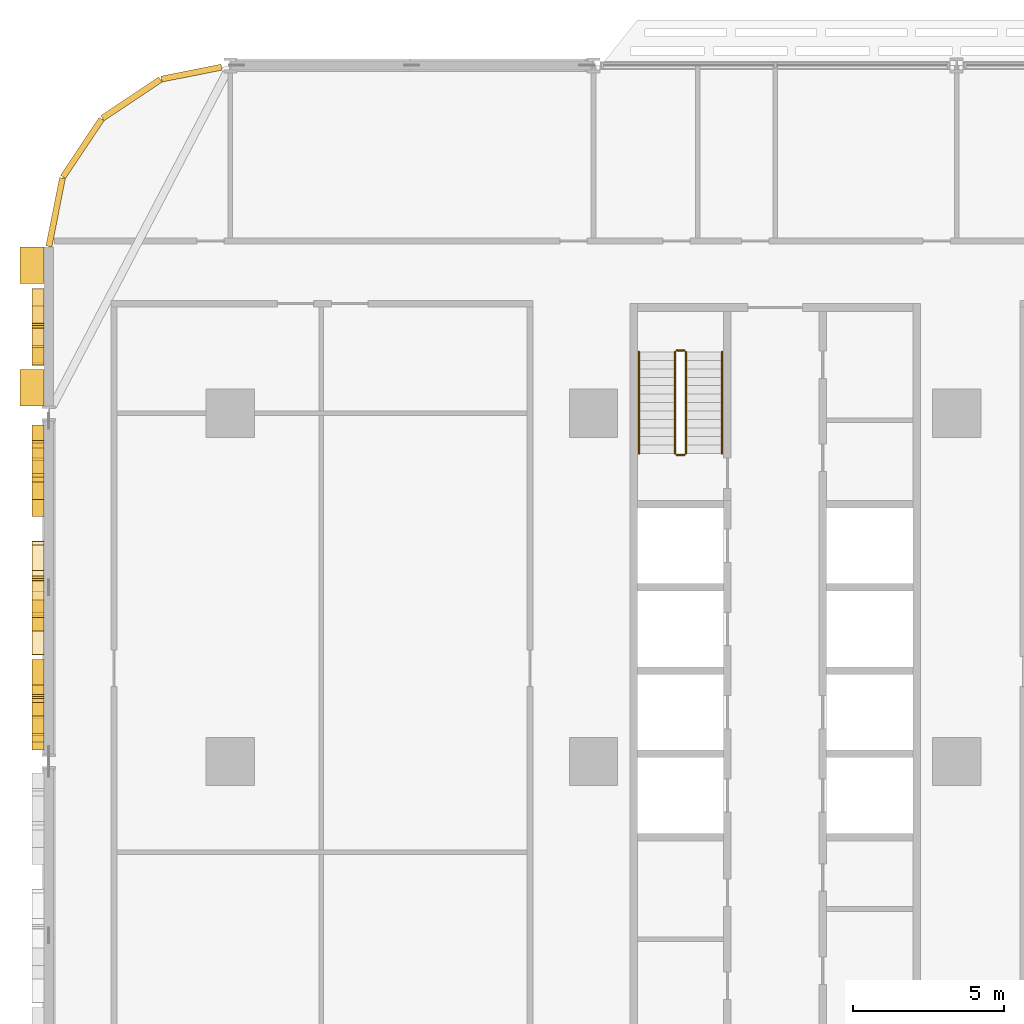
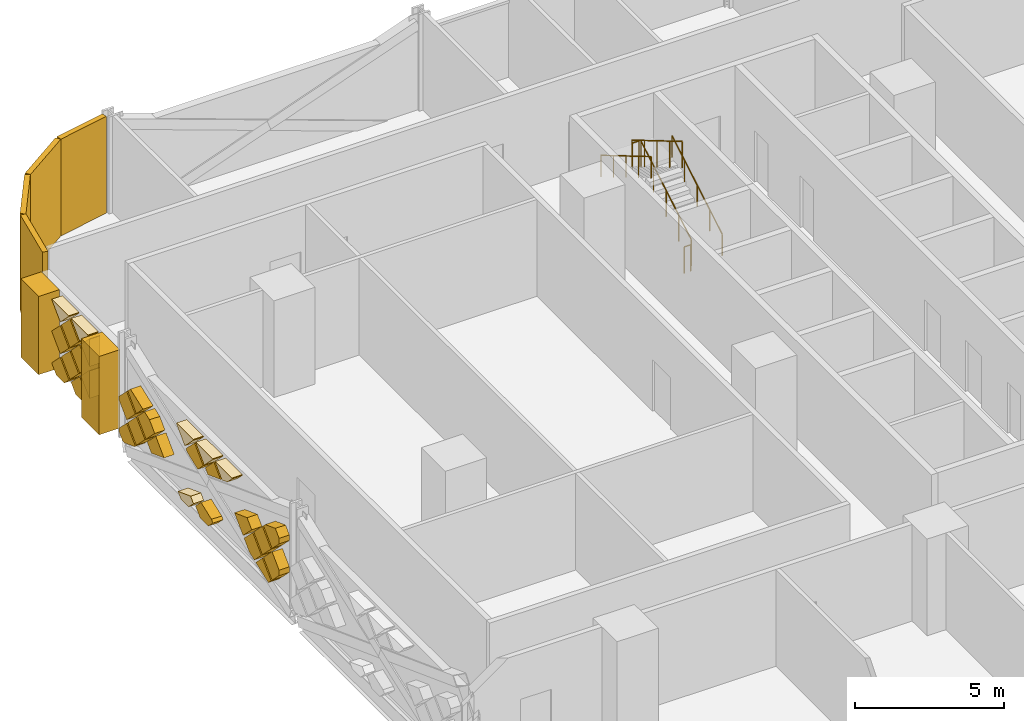
# One storey, part 23 of 26: 35 coverings, 6 railings.
"""IFC4 building model written with IfcOpenShell, lengths in metres."""

from ifc_helpers import new_model, si_unit, direction, frame, origin, origin_2d, place, context, subcontext, project, spatial, polyline, rectangle, circle, outline, extrude, material, layer, layer_set, type_object, element, save


model = new_model("IFC4")

# Units and contexts
model_context = context("Model", 3, precision=1e-05, world=origin(), true_north=direction((0.0, 1.0)))
body_context = subcontext(model_context, "Body", "Model", "MODEL_VIEW")
ifc_project = project(units=[si_unit("LENGTHUNIT", "METRE"), si_unit("AREAUNIT", "SQUARE_METRE"), si_unit("VOLUMEUNIT", "CUBIC_METRE"), si_unit("PLANEANGLEUNIT", "RADIAN"), si_unit("MASSUNIT", "GRAM", prefix="KILO")], contexts=[model_context])

# Site, building, storey
site_placement = place(None, origin())
site = spatial("IfcSite", under=ifc_project, at=site_placement, CompositionType="ELEMENT")
building_placement = place(site_placement, origin())
building = spatial("IfcBuilding", under=site, at=building_placement, Name="Mahtab Terrace Research Tower", CompositionType="ELEMENT")
storey_placement = place(building_placement, frame((0.0, 0.0, 15.800048828125)))
storey = spatial("IfcBuildingStorey", under=building, at=storey_placement, Name="L03", CompositionType="ELEMENT", Elevation=15.800048828125)

# Coverings
ifc_material_1 = material(Name="Black aluminium cladding panel", Category="aluminium")
ifc_layer_1 = layer(ifc_material_1, 0.199951171875)
ifc_layer_set_1 = layer_set([ifc_layer_1], Name="Black metal corner cladding 200")
covering_type_1 = type_object("IfcCoveringType", Name="Black metal corner cladding 200", PredefinedType="CLADDING", material=ifc_layer_set_1)
covering_1_placement = place(storey_placement, frame((-43.28173828125, 22.744873046875, 0.0), z_axis=(0.0, 0.0, 1.0), x_axis=(-0.980760981187, -0.195212442692, 0.0)))
element("IfcCovering", 1, at=covering_1_placement, inside=storey, type_object=covering_type_1, Name="Corner cladding L03 10", PredefinedType="CLADDING", context=body_context, shape_type="SweptSolid", body=[
    extrude(rectangle(XDim=2.0283203125, YDim=0.199951171875, at=origin_2d()), origin(), (0.0, 0.0, 1.0), 3.9599609375),
])
for number, where, z_axis, x_axis, name in (
    (2, (-45.26953125, 21.89306640625, 0.0), (0.0, 0.0, 1.0), (-0.831655794326, -0.555291490808, 0.0), "Corner cladding L03 11"),
    (3, (-46.89306640625, 20.26953125, 0.0), (0.0, 0.0, 1.0), (-0.555291490808, -0.831655794326, 0.0), "Corner cladding L03 12"),
    (4, (-47.771484375, 18.14794921875, 0.0), (0.0, 0.0, 1.0), (-0.195212442692, -0.980760981187, 0.0), "Corner cladding L03 13"),
):
    element("IfcCovering", number, at=place(storey_placement, frame(where, z_axis=z_axis, x_axis=x_axis)), inside=storey, type_object=covering_type_1, Name=name, PredefinedType="CLADDING", context=body_context, shape_type="SweptSolid", body=[
        extrude(rectangle(XDim=2.30126953125, YDim=0.199951171875, at=origin_2d()), origin(), (0.0, 0.0, 1.0), 3.9599609375),
    ])
ifc_material_2 = material(Name="Bronze anodised aluminium", Category="aluminium")
ifc_layer_2 = layer(ifc_material_2, 0.39990234375)
ifc_layer_set_2 = layer_set([ifc_layer_2], Name="Mashrabiya relief panel 400")
covering_type_2 = type_object("IfcCoveringType", Name="Mashrabiya relief panel 400", PredefinedType="CLADDING", material=ifc_layer_set_2)
covering_2_placement = place(storey_placement, frame((-48.14990234375, 15.6298828125, 0.449951171875), z_axis=(1.0, 0.0, 0.0), x_axis=(0.0, -0.706957932274, 0.707255598772)))
element("IfcCovering", 5, at=covering_2_placement, inside=storey, type_object=covering_type_2, Name="Mashrabiya lattice cell L03 W14.1", PredefinedType="CLADDING", context=body_context, shape_type="SweptSolid", body=[
    extrude(outline(polyline([(0.0, 0.0), (0.8201817362875763, 0.0), (0.8200090664636573, 0.8203543334390104), (0.37461466825813394, 0.8202605859335999), (-9.374750541055188e-05, 0.4453943982055234), (0.0, 0.0)])), origin(), (0.0, 0.0, -1.0), 0.39990234375),
])
covering_3_placement = place(storey_placement, frame((-48.14990234375, 15.050048828125, 2.329833984375), z_axis=(1.0, 0.0, 0.0), x_axis=(0.0, -0.707255598772, -0.706957932274)))
element("IfcCovering", 6, at=covering_3_placement, inside=storey, type_object=covering_type_2, Name="Mashrabiya lattice cell L03 W14.2", PredefinedType="CLADDING", context=body_context, shape_type="SweptSolid", body=[
    extrude(outline(polyline([(0.0, 0.0), (0.8201817362875763, 0.0), (0.8200090664636573, 0.8203543334390104), (-0.00017259715143413956, 0.8200090664636573), (0.0, 0.0)])), origin(), (0.0, 0.0, -1.0), 0.39990234375),
])
covering_4_placement = place(storey_placement, frame((-48.14990234375, 14.469970703125, 3.050048828125), z_axis=(1.0, 0.0, 0.0), x_axis=(0.0, 0.707106781187, -0.707106781187)))
element("IfcCovering", 7, at=covering_4_placement, inside=storey, type_object=covering_type_2, Name="Mashrabiya lattice cell L03 W14.3", PredefinedType="CLADDING", context=body_context, shape_type="SweptSolid", body=[
    extrude(outline(polyline([(0.0, 0.0), (0.8203543516109556, 0.0), (0.820181718119455, 0.820181718119455), (0.7949772283603641, 0.820181718119455), (0.00017263349150062161, 0.02537712325059143), (0.0, 0.0)])), origin(), (0.0, 0.0, -1.0), 0.39990234375),
])
for number, where, z_axis, x_axis, name in (
    (8, (-48.14990234375, 14.39990234375, 1.679931640625), (1.0, 0.0, 0.0), (0.0, -0.706957932274, -0.707255598772), "Mashrabiya lattice cell L03 W14.4"),
    (9, (-48.14990234375, 14.39990234375, 2.97998046875), (1.0, 0.0, 0.0), (0.0, -0.706957932274, -0.707255598772), "Mashrabiya lattice cell L03 W14.5"),
):
    element("IfcCovering", number, at=place(storey_placement, frame(where, z_axis=z_axis, x_axis=x_axis)), inside=storey, type_object=covering_type_2, Name=name, PredefinedType="CLADDING", context=body_context, shape_type="SweptSolid", body=[
        extrude(outline(polyline([(0.0, 0.0), (0.8201817362875763, 0.0), (0.8203543334390104, 0.8200090664636573), (0.00017266982391900276, 0.8203543334390104), (0.0, 0.0)])), origin(), (0.0, 0.0, -1.0), 0.39990234375),
    ])
covering_5_placement = place(storey_placement, frame((-48.14990234375, 14.330078125, 0.449951171875), z_axis=(1.0, 0.0, 0.0), x_axis=(0.0, -0.707106781187, 0.707106781187)))
element("IfcCovering", 10, at=covering_5_placement, inside=storey, type_object=covering_type_2, Name="Mashrabiya lattice cell L03 W14.6", PredefinedType="CLADDING", context=body_context, shape_type="SweptSolid", body=[
    extrude(outline(polyline([(0.0, 0.0), (0.8203543516109556, 0.0), (0.8203543516109556, 0.8203543516109556), (0.3747873100478503, 0.8201817181194551), (0.00017263349150062335, 0.44556704156310534), (0.0, 0.0)])), origin(), (0.0, 0.0, -1.0), 0.39990234375),
])
covering_6_placement = place(storey_placement, frame((-48.14990234375, 13.75, 2.329833984375), z_axis=(1.0, 0.0, 0.0), x_axis=(0.0, -0.707255598772, -0.706957932274)))
element("IfcCovering", 11, at=covering_6_placement, inside=storey, type_object=covering_type_2, Name="Mashrabiya lattice cell L03 W14.7", PredefinedType="CLADDING", context=body_context, shape_type="SweptSolid", body=[
    extrude(outline(polyline([(0.0, 0.0), (0.8201817362875763, 0.0), (0.8200090664636573, 0.8203543334390104), (-0.0003452669753531423, 0.8201816636150915), (0.0, 0.0)])), origin(), (0.0, 0.0, -1.0), 0.39990234375),
])
covering_7_placement = place(storey_placement, frame((-48.14990234375, 13.169921875, 3.050048828125), z_axis=(1.0, 0.0, 0.0), x_axis=(0.0, 0.707106781187, -0.707106781187)))
element("IfcCovering", 12, at=covering_7_placement, inside=storey, type_object=covering_type_2, Name="Mashrabiya lattice cell L03 W14.8", PredefinedType="CLADDING", context=body_context, shape_type="SweptSolid", body=[
    extrude(outline(polyline([(0.0, 0.0), (0.8203543516109556, 0.0), (0.8203543516109556, 0.8203543516109556), (0.7949772283603641, 0.820181718119455), (0.00017263349150062161, 0.02537712325059143), (0.0, 0.0)])), origin(), (0.0, 0.0, -1.0), 0.39990234375),
])
covering_8_placement = place(storey_placement, frame((-48.14990234375, 13.10009765625, 0.52001953125), z_axis=(1.0, 0.0, 0.0), x_axis=(0.0, 0.707106781187, 0.707106781187)))
element("IfcCovering", 13, at=covering_8_placement, inside=storey, type_object=covering_type_2, Name="Mashrabiya lattice cell L03 W14.9", PredefinedType="CLADDING", context=body_context, shape_type="SweptSolid", body=[
    extrude(outline(polyline([(0.0, 0.0), (0.8200090846279543, 0.0), (0.820181718119455, 0.820181718119455), (0.7975667307328734, 0.8203543516109556), (-0.00017263349150062161, 0.022614987386581478), (0.0, 0.0)])), origin(), (0.0, 0.0, -1.0), 0.39990234375),
])
covering_9_placement = place(storey_placement, frame((-48.14990234375, 13.10009765625, 1.820068359375), z_axis=(1.0, 0.0, 0.0), x_axis=(0.0, 0.707106781187, 0.707106781187)))
element("IfcCovering", 14, at=covering_9_placement, inside=storey, type_object=covering_type_2, Name="Mashrabiya lattice cell L03 W14.10", PredefinedType="CLADDING", context=body_context, shape_type="SweptSolid", body=[
    extrude(outline(polyline([(0.0, 0.0), (0.8200090846279543, 0.0), (0.820181718119455, 0.820181718119455), (0.7973940972413728, 0.820181718119455), (-0.00017263349150062161, 0.022614987386581478), (0.0, 0.0)])), origin(), (0.0, 0.0, -1.0), 0.39990234375),
])
covering_10_placement = place(storey_placement, frame((-48.14990234375, 11.115966796875, 0.385009765625), z_axis=(1.0, 0.0, 0.0), x_axis=(0.0, 0.0, 1.0)))
element("IfcCovering", 15, at=covering_10_placement, inside=storey, type_object=covering_type_2, Name="Mashrabiya lattice cell L03 W15.1", PredefinedType="CLADDING", context=body_context, shape_type="SweptSolid", body=[
    extrude(outline(polyline([(0.0, 0.0), (0.1298828125, 0.0), (0.64501953125, 0.514892578125), (0.06494140625, 1.094970703125), (0.0, 1.030029296875), (-0.25, 0.362060546875), (-0.25, 0.25), (0.0, 0.0)])), origin(), (0.0, 0.0, -1.0), 0.39990234375),
])
covering_11_placement = place(storey_placement, frame((-48.14990234375, 10.60107421875, 2.329833984375), z_axis=(1.0, 0.0, 0.0), x_axis=(0.0, -0.707255598772, -0.706957932274)))
element("IfcCovering", 16, at=covering_11_placement, inside=storey, type_object=covering_type_2, Name="Mashrabiya lattice cell L03 W15.2", PredefinedType="CLADDING", context=body_context, shape_type="SweptSolid", body=[
    extrude(outline(polyline([(0.0, 0.0), (0.8201817362875763, 0.0), (0.8200090664636573, 0.8203543334390104), (0.0916684182924955, 0.820028397344618), (-0.0001532662704735177, 0.7281680510197277), (0.0, 0.0)])), origin(), (0.0, 0.0, -1.0), 0.39990234375),
])
covering_12_placement = place(storey_placement, frame((-48.14990234375, 9.950927734375, 1.679931640625), z_axis=(1.0, 0.0, 0.0), x_axis=(0.0, -0.706957932274, -0.707255598772)))
element("IfcCovering", 17, at=covering_12_placement, inside=storey, type_object=covering_type_2, Name="Mashrabiya lattice cell L03 W15.3", PredefinedType="CLADDING", context=body_context, shape_type="SweptSolid", body=[
    extrude(outline(polyline([(0.0, 0.0), (0.8201817362875763, 0.0), (0.8203543334390104, 0.8200090664636573), (0.00017266982391900276, 0.8203543334390104), (0.0, 0.0)])), origin(), (0.0, 0.0, -1.0), 0.39990234375),
])
covering_13_placement = place(storey_placement, frame((-48.14990234375, 9.950927734375, 1.820068359375), z_axis=(1.0, 0.0, 0.0), x_axis=(0.0, 0.707255598772, 0.706957932274)))
element("IfcCovering", 18, at=covering_13_placement, inside=storey, type_object=covering_type_2, Name="Mashrabiya lattice cell L03 W15.4", PredefinedType="CLADDING", context=body_context, shape_type="SweptSolid", body=[
    extrude(outline(polyline([(0.0, 0.0), (0.8201817362875763, 0.0), (0.8201287580461467, 0.2516996250324237), (-0.00013153719751402004, 0.6249332253891452), (0.0, 0.0)])), origin(), (0.0, 0.0, -1.0), 0.39990234375),
])
covering_14_placement = place(storey_placement, frame((-48.14990234375, 8.720947265625, 1.75), z_axis=(1.0, 0.0, 0.0), x_axis=(0.0, 0.707106781187, -0.707106781187)))
element("IfcCovering", 19, at=covering_14_placement, inside=storey, type_object=covering_type_2, Name="Mashrabiya lattice cell L03 W15.5", PredefinedType="CLADDING", context=body_context, shape_type="SweptSolid", body=[
    extrude(outline(polyline([(0.0, 0.0), (0.8203543516109556, 0.0), (0.8203543516109556, 0.8203543516109556), (0.1500185041140405, 0.820181718119455), (0.00017263349150062335, 0.49217808426827325), (0.0, 0.0)])), origin(), (0.0, 0.0, -1.0), 0.39990234375),
])
covering_15_placement = place(storey_placement, frame((-48.14990234375, 9.23095703125, 1.099853515625), z_axis=(1.0, 0.0, 0.0), x_axis=(0.0, -0.707106781187, 0.707106781187)))
element("IfcCovering", 20, at=covering_15_placement, inside=storey, type_object=covering_type_2, Name="Mashrabiya lattice cell L03 W15.6", PredefinedType="CLADDING", context=body_context, shape_type="SweptSolid", body=[
    extrude(outline(polyline([(0.0, 0.0), (0.8203543516109556, 0.0), (0.820181718119455, 0.7804760150743119), (0.0, 0.4070697729584666), (0.0, 0.0)])), origin(), (0.0, 0.0, -1.0), 0.39990234375),
])
covering_16_placement = place(storey_placement, frame((-48.14990234375, 7.160888671875, 0.329833984375), z_axis=(1.0, 0.0, 0.0), x_axis=(0.0, -0.936939642646, 0.349491210244)))
element("IfcCovering", 21, at=covering_16_placement, inside=storey, type_object=covering_type_2, Name="Mashrabiya lattice cell L03 W15.7", PredefinedType="CLADDING", context=body_context, shape_type="SweptSolid", body=[
    extrude(outline(polyline([(0.0, 0.0), (0.9018411268612947, 0.0), (1.0162049837573561, 0.2508566309202513), (0.6110546419046019, 0.4358684663201832), (0.11444918189856254, 0.2506278858903084), (0.0, 0.0)])), origin(), (0.0, 0.0, -1.0), 0.39990234375),
])
covering_17_placement = place(storey_placement, frame((-48.14990234375, 6.12109375, 3.050048828125), z_axis=(1.0, 0.0, 0.0), x_axis=(0.0, 0.706957932274, -0.707255598772)))
element("IfcCovering", 22, at=covering_17_placement, inside=storey, type_object=covering_type_2, Name="Mashrabiya lattice cell L03 W15.8", PredefinedType="CLADDING", context=body_context, shape_type="SweptSolid", body=[
    extrude(outline(polyline([(0.0, 0.0), (0.8201817362875763, 0.0), (0.8200090664636573, 0.8203543334390104), (0.7946319801114454, 0.8201763585237), (-5.30509139145055e-06, 0.02520448920077768), (0.0, 0.0)])), origin(), (0.0, 0.0, -1.0), 0.39990234375),
])
covering_18_placement = place(storey_placement, frame((-48.14990234375, 6.631103515625, 2.39990234375), z_axis=(1.0, 0.0, 0.0), x_axis=(0.0, -0.707106781187, 0.707106781187)))
element("IfcCovering", 23, at=covering_18_placement, inside=storey, type_object=covering_type_2, Name="Mashrabiya lattice cell L03 W15.9", PredefinedType="CLADDING", context=body_context, shape_type="SweptSolid", body=[
    extrude(outline(polyline([(0.0, 0.0), (0.8203543516109556, 0.0), (0.8203543516109556, 0.8203543516109556), (0.30694234788810587, 0.8203543516109555), (0.0, 0.14570266682652494), (0.0, 0.0)])), origin(), (0.0, 0.0, -1.0), 0.39990234375),
])
covering_19_placement = place(storey_placement, frame((-48.14990234375, 5.98095703125, 0.449951171875), z_axis=(1.0, 0.0, 0.0), x_axis=(0.0, -0.707106781187, 0.707106781187)))
element("IfcCovering", 24, at=covering_19_placement, inside=storey, type_object=covering_type_2, Name="Mashrabiya lattice cell L03 W15.10", PredefinedType="CLADDING", context=body_context, shape_type="SweptSolid", body=[
    extrude(outline(polyline([(0.0, 0.0), (0.5075424650118285, 0.0), (0.820181718119455, 0.685872861731971), (0.820181718119455, 0.820181718119455), (0.3747873100478503, 0.8201817181194551), (0.0, 0.4453944080716047), (0.0, 0.0)])), origin(), (0.0, 0.0, -1.0), 0.39990234375),
])
covering_20_placement = place(storey_placement, frame((-48.14990234375, 4.821044921875, 3.050048828125), z_axis=(1.0, 0.0, 0.0), x_axis=(0.0, 0.706957932274, -0.707255598772)))
element("IfcCovering", 25, at=covering_20_placement, inside=storey, type_object=covering_type_2, Name="Mashrabiya lattice cell L03 W15.11", PredefinedType="CLADDING", context=body_context, shape_type="SweptSolid", body=[
    extrude(outline(polyline([(0.0, 0.0), (0.8201817362875763, 0.0), (0.8200090664636573, 0.8203543334390104), (0.7946319801114454, 0.8201763585237), (0.00016729206004270115, 0.025377159024696644), (0.0, 0.0)])), origin(), (0.0, 0.0, -1.0), 0.39990234375),
])
covering_21_placement = place(storey_placement, frame((-48.14990234375, 5.3310546875, 2.39990234375), z_axis=(1.0, 0.0, 0.0), x_axis=(0.0, -0.707106781187, 0.707106781187)))
element("IfcCovering", 26, at=covering_21_placement, inside=storey, type_object=covering_type_2, Name="Mashrabiya lattice cell L03 W15.12", PredefinedType="CLADDING", context=body_context, shape_type="SweptSolid", body=[
    extrude(outline(polyline([(0.0, 0.0), (0.8203543516109556, 0.0), (0.8203543516109556, 0.6180278995722267), (0.00017263349150062335, 0.24462165745638131), (0.0, 0.0)])), origin(), (0.0, 0.0, -1.0), 0.39990234375),
])
covering_22_placement = place(storey_placement, frame((-48.14990234375, 4.680908203125, 3.050048828125), z_axis=(1.0, 0.0, 0.0), x_axis=(0.0, -0.707106781187, 0.707106781187)))
element("IfcCovering", 27, at=covering_22_placement, inside=storey, type_object=covering_type_2, Name="Mashrabiya lattice cell L03 W15.13", PredefinedType="CLADDING", context=body_context, shape_type="SweptSolid", body=[
    extrude(outline(polyline([(0.0, 0.0), (0.025204489759090808, 0.0), (0.8200090846279544, 0.7948045948688636), (0.820181718119455, 0.820181718119455), (0.3449217160182427, 0.8203543516109555), (0.0, 0.6632578743453896), (0.0, 0.0)])), origin(), (0.0, 0.0, -1.0), 0.39990234375),
])
covering_23_placement = place(storey_placement, frame((-48.14990234375, 2.220947265625, 1.75), z_axis=(1.0, 0.0, 0.0), x_axis=(0.0, 0.707106781187, -0.707106781187)))
element("IfcCovering", 28, at=covering_23_placement, inside=storey, type_object=covering_type_2, Name="Mashrabiya lattice cell L03 W15.14", PredefinedType="CLADDING", context=body_context, shape_type="SweptSolid", body=[
    extrude(outline(polyline([(0.0, 0.0), (0.8203543516109556, 0.0), (0.8203543516109555, 0.8131037449679295), (0.0, 0.4384890684115798), (0.0, 0.0)])), origin(), (0.0, 0.0, -1.0), 0.39990234375),
])
covering_24_placement = place(storey_placement, frame((-48.14990234375, 2.73095703125, 1.099853515625), z_axis=(1.0, 0.0, 0.0), x_axis=(0.0, -0.707106781187, 0.707106781187)))
element("IfcCovering", 29, at=covering_24_placement, inside=storey, type_object=covering_type_2, Name="Mashrabiya lattice cell L03 W15.15", PredefinedType="CLADDING", context=body_context, shape_type="SweptSolid", body=[
    extrude(outline(polyline([(0.0, 0.0), (0.8203543516109556, 0.0), (0.820181718119455, 0.820181718119455), (0.14432159889451995, 0.8200090846279544), (0.0, 0.5033992612158137), (0.0, 0.0)])), origin(), (0.0, 0.0, -1.0), 0.39990234375),
])
covering_25_placement = place(storey_placement, frame((-48.14990234375, 1.5009765625, 1.030029296875), z_axis=(1.0, 0.0, 0.0), x_axis=(0.0, -0.707106781187, -0.707106781187)))
element("IfcCovering", 30, at=covering_25_placement, inside=storey, type_object=covering_type_2, Name="Mashrabiya lattice cell L03 W15.16", PredefinedType="CLADDING", context=body_context, shape_type="SweptSolid", body=[
    extrude(outline(polyline([(0.0, 0.0), (0.8203543516109556, 0.0), (0.820181718119455, 0.2573965358274274), (0.0, 0.6308027779432727), (0.0, 0.0)])), origin(), (0.0, 0.0, -1.0), 0.39990234375),
])
covering_26_placement = place(storey_placement, frame((-48.14990234375, 1.5009765625, 2.329833984375), z_axis=(1.0, 0.0, 0.0), x_axis=(0.0, -0.707255598772, -0.706957932274)))
element("IfcCovering", 31, at=covering_26_placement, inside=storey, type_object=covering_type_2, Name="Mashrabiya lattice cell L03 W15.17", PredefinedType="CLADDING", context=body_context, shape_type="SweptSolid", body=[
    extrude(outline(polyline([(0.0, 0.0), (0.8201817362875763, 0.0), (0.8200090664636573, 0.8203543334390104), (-0.0003452669753531423, 0.8201816636150915), (0.0, 0.0)])), origin(), (0.0, 0.0, -1.0), 0.39990234375),
])
covering_27_placement = place(storey_placement, frame((-48.14990234375, 0.85107421875, 0.52001953125), z_axis=(1.0, 0.0, 0.0), x_axis=(0.0, 0.707106781187, 0.707106781187)))
element("IfcCovering", 32, at=covering_27_placement, inside=storey, type_object=covering_type_2, Name="Mashrabiya lattice cell L03 W15.18", PredefinedType="CLADDING", context=body_context, shape_type="SweptSolid", body=[
    extrude(outline(polyline([(0.0, 0.0), (0.8200090846279543, 0.0), (0.820181718119455, 0.820181718119455), (0.1596859796380753, 0.820181718119455), (0.0, 0.6604957384813797), (0.0, 0.0)])), origin(), (0.0, 0.0, -1.0), 0.39990234375),
])
covering_28_placement = place(storey_placement, frame((-48.14990234375, 0.85107421875, 1.820068359375), z_axis=(1.0, 0.0, 0.0), x_axis=(0.0, 0.707106781187, 0.707106781187)))
element("IfcCovering", 33, at=covering_28_placement, inside=storey, type_object=covering_type_2, Name="Mashrabiya lattice cell L03 W15.19", PredefinedType="CLADDING", context=body_context, shape_type="SweptSolid", body=[
    extrude(outline(polyline([(0.0, 0.0), (0.8200090846279543, 0.0), (0.8200090846279544, 0.16262074899358586), (0.5203173433828746, 0.8203543516109556), (0.1596859796380753, 0.820181718119455), (-0.0001726334915006511, 0.660323104989879), (0.0, 0.0)])), origin(), (0.0, 0.0, -1.0), 0.39990234375),
])
ifc_material_3 = material(Name="Glazed ceramic tile cladding", Category="masonry")
ifc_layer_3 = layer(ifc_material_3, 0.800048828125)
ifc_layer_set_3 = layer_set([ifc_layer_3], Name="Pishtaq frame pier 800")
covering_type_3 = type_object("IfcCoveringType", Name="Pishtaq frame pier 800", PredefinedType="CLADDING", material=ifc_layer_set_3)
for number, where, z_axis, x_axis, name in (
    (34, (-48.550048828125, 16.39990234375, 0.00048828125), (0.0, 0.0, 1.0), (0.0, -1.0, 0.0), "Pishtaq frame pier 14a"),
    (35, (-48.550048828125, 12.34912109375, 0.00048828125), (0.0, 0.0, 1.0), (0.0, -1.0, 0.0), "Pishtaq frame pier 14b"),
):
    element("IfcCovering", number, at=place(storey_placement, frame(where, z_axis=z_axis, x_axis=x_axis)), inside=storey, type_object=covering_type_3, Name=name, PredefinedType="CLADDING", context=body_context, shape_type="SweptSolid", body=[
        extrude(rectangle(XDim=1.199951171875, YDim=0.800048828125, at=origin_2d()), origin(), (0.0, 0.0, 1.0), 3.202880859375),
    ])

# Railings
ifc_material_4 = material(Name="Stainless steel AISI 304", Category="steel")
railing_type_1 = type_object("IfcRailingType", Name="Stair guard 1100", PredefinedType="GUARDRAIL", material=ifc_material_4)
railing_1_placement = place(storey_placement, frame((-26.949951171875, 10.175048828125, 0.165283203125)))
element("IfcRailing", 36, at=railing_1_placement, inside=storey, type_object=railing_type_1, Name="L03 ST1 stair guard 1", PredefinedType="GUARDRAIL", context=body_context, shape_type="SweptSolid", body=[
    extrude(circle(Radius=0.02392578125, at=origin_2d()), frame((0.0, 0.0, 1.076171875), z_axis=(0.0, 0.861011212953, 0.508585972249), x_axis=(-1.0, 0.0, 0.0)), (0.0, 0.0, 1.0), 3.90234375),
    extrude(circle(Radius=0.02099609375, at=origin_2d()), origin(), (0.0, 0.0, 1.0), 1.052001953125),
    extrude(circle(Radius=0.02099609375, at=origin_2d()), frame((0.0, 0.83984375, 0.49609375)), (0.0, 0.0, 1.0), 1.052001953125),
    extrude(circle(Radius=0.02099609375, at=origin_2d()), frame((0.0, 1.679931640625, 0.9921875)), (0.0, 0.0, 1.0), 1.052001953125),
    extrude(circle(Radius=0.02099609375, at=origin_2d()), frame((0.0, 2.52001953125, 1.488525390625)), (0.0, 0.0, 1.0), 1.052001953125),
    extrude(circle(Radius=0.02099609375, at=origin_2d()), frame((0.0, 3.35986328125, 1.984619140625)), (0.0, 0.0, 1.0), 1.052001953125),
])
railing_2_placement = place(storey_placement, frame((-27.0, 13.5849609375, 2.14990234375)))
element("IfcRailing", 37, at=railing_2_placement, inside=storey, type_object=railing_type_1, Name="L03 ST1 stair guard 2", PredefinedType="GUARDRAIL", context=body_context, shape_type="SweptSolid", body=[
    extrude(circle(Radius=0.02392578125, at=origin_2d()), frame((0.0, 0.0, 1.076171875), z_axis=(-1.0, 0.0, 0.0), x_axis=(0.0, -1.0, 0.0)), (0.0, 0.0, 1.0), 0.25),
    extrude(circle(Radius=0.02099609375, at=origin_2d()), origin(), (0.0, 0.0, 1.0), 1.052001953125),
    extrude(circle(Radius=0.02099609375, at=origin_2d()), frame((-0.25, 0.0, 0.0)), (0.0, 0.0, 1.0), 1.052001953125),
])
railing_3_placement = place(storey_placement, frame((-27.300048828125, 13.534912109375, 2.3154296875)))
element("IfcRailing", 38, at=railing_3_placement, inside=storey, type_object=railing_type_1, Name="L03 ST1 stair guard 3", PredefinedType="GUARDRAIL", context=body_context, shape_type="SweptSolid", body=[
    extrude(circle(Radius=0.02392578125, at=origin_2d()), frame((0.0, 0.0, 1.076171875), z_axis=(0.0, -0.861011212953, 0.508585972249), x_axis=(1.0, 0.0, 0.0)), (0.0, 0.0, 1.0), 3.90234375),
    extrude(circle(Radius=0.02099609375, at=origin_2d()), origin(), (0.0, 0.0, 1.0), 1.052001953125),
    extrude(circle(Radius=0.02099609375, at=origin_2d()), frame((0.0, -0.83984375, 0.49609375)), (0.0, 0.0, 1.0), 1.052001953125),
    extrude(circle(Radius=0.02099609375, at=origin_2d()), frame((0.0, -1.679931640625, 0.9921875)), (0.0, 0.0, 1.0), 1.052001953125),
    extrude(circle(Radius=0.02099609375, at=origin_2d()), frame((0.0, -2.52001953125, 1.488525390625)), (0.0, 0.0, 1.0), 1.052001953125),
    extrude(circle(Radius=0.02099609375, at=origin_2d()), frame((0.0, -3.35986328125, 1.984619140625)), (0.0, 0.0, 1.0), 1.052001953125),
])
railing_4_placement = place(storey_placement, frame((-27.0, 10.125, 0.0)))
element("IfcRailing", 39, at=railing_4_placement, inside=storey, type_object=railing_type_1, Name="L03 ST1 stair guard 4", PredefinedType="GUARDRAIL", context=body_context, shape_type="SweptSolid", body=[
    extrude(circle(Radius=0.02392578125, at=origin_2d()), frame((0.0, 0.0, 1.076171875), z_axis=(-1.0, 0.0, 0.0), x_axis=(0.0, -1.0, 0.0)), (0.0, 0.0, 1.0), 0.25),
    extrude(circle(Radius=0.02099609375, at=origin_2d()), origin(), (0.0, 0.0, 1.0), 1.052001953125),
    extrude(circle(Radius=0.02099609375, at=origin_2d()), frame((-0.25, 0.0, 0.0)), (0.0, 0.0, 1.0), 1.052001953125),
])
railing_type_2 = type_object("IfcRailingType", Name="Stair handrail 900", PredefinedType="HANDRAIL", material=ifc_material_4)
railing_5_placement = place(storey_placement, frame((-25.75, 10.175048828125, 0.165283203125)))
element("IfcRailing", 40, at=railing_5_placement, inside=storey, type_object=railing_type_2, Name="L03 ST1 stair handrail 1", PredefinedType="HANDRAIL", context=body_context, shape_type="SweptSolid", body=[
    extrude(circle(Radius=0.02392578125, at=origin_2d()), frame((0.0, 0.0, 0.8759765625), z_axis=(0.0, 0.861011212953, 0.508585972249), x_axis=(-1.0, 0.0, 0.0)), (0.0, 0.0, 1.0), 3.90234375),
    extrude(circle(Radius=0.02099609375, at=origin_2d()), origin(), (0.0, 0.0, 1.0), 0.851806640625),
    extrude(circle(Radius=0.02099609375, at=origin_2d()), frame((0.0, 0.83984375, 0.49609375)), (0.0, 0.0, 1.0), 0.851806640625),
    extrude(circle(Radius=0.02099609375, at=origin_2d()), frame((0.0, 1.679931640625, 0.9921875)), (0.0, 0.0, 1.0), 0.851806640625),
    extrude(circle(Radius=0.02099609375, at=origin_2d()), frame((0.0, 2.52001953125, 1.488525390625)), (0.0, 0.0, 1.0), 0.851806640625),
    extrude(circle(Radius=0.02099609375, at=origin_2d()), frame((0.0, 3.35986328125, 1.984619140625)), (0.0, 0.0, 1.0), 0.851806640625),
])
railing_6_placement = place(storey_placement, frame((-28.5, 13.534912109375, 2.3154296875)))
element("IfcRailing", 41, at=railing_6_placement, inside=storey, type_object=railing_type_2, Name="L03 ST1 stair handrail 2", PredefinedType="HANDRAIL", context=body_context, shape_type="SweptSolid", body=[
    extrude(circle(Radius=0.02392578125, at=origin_2d()), frame((0.0, 0.0, 0.8759765625), z_axis=(0.0, -0.861011212953, 0.508585972249), x_axis=(1.0, 0.0, 0.0)), (0.0, 0.0, 1.0), 3.90234375),
    extrude(circle(Radius=0.02099609375, at=origin_2d()), origin(), (0.0, 0.0, 1.0), 0.851806640625),
    extrude(circle(Radius=0.02099609375, at=origin_2d()), frame((0.0, -0.83984375, 0.49609375)), (0.0, 0.0, 1.0), 0.851806640625),
    extrude(circle(Radius=0.02099609375, at=origin_2d()), frame((0.0, -1.679931640625, 0.9921875)), (0.0, 0.0, 1.0), 0.851806640625),
    extrude(circle(Radius=0.02099609375, at=origin_2d()), frame((0.0, -2.52001953125, 1.488525390625)), (0.0, 0.0, 1.0), 0.851806640625),
    extrude(circle(Radius=0.02099609375, at=origin_2d()), frame((0.0, -3.35986328125, 1.984619140625)), (0.0, 0.0, 1.0), 0.851806640625),
])

save(model, "model.ifc")
